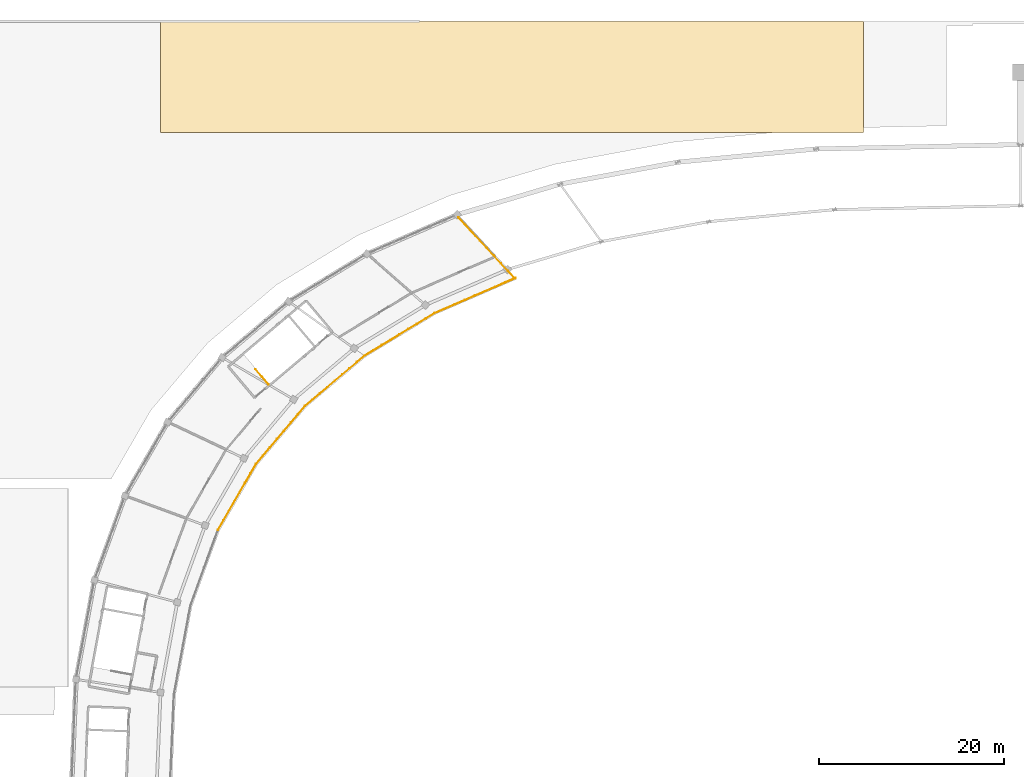
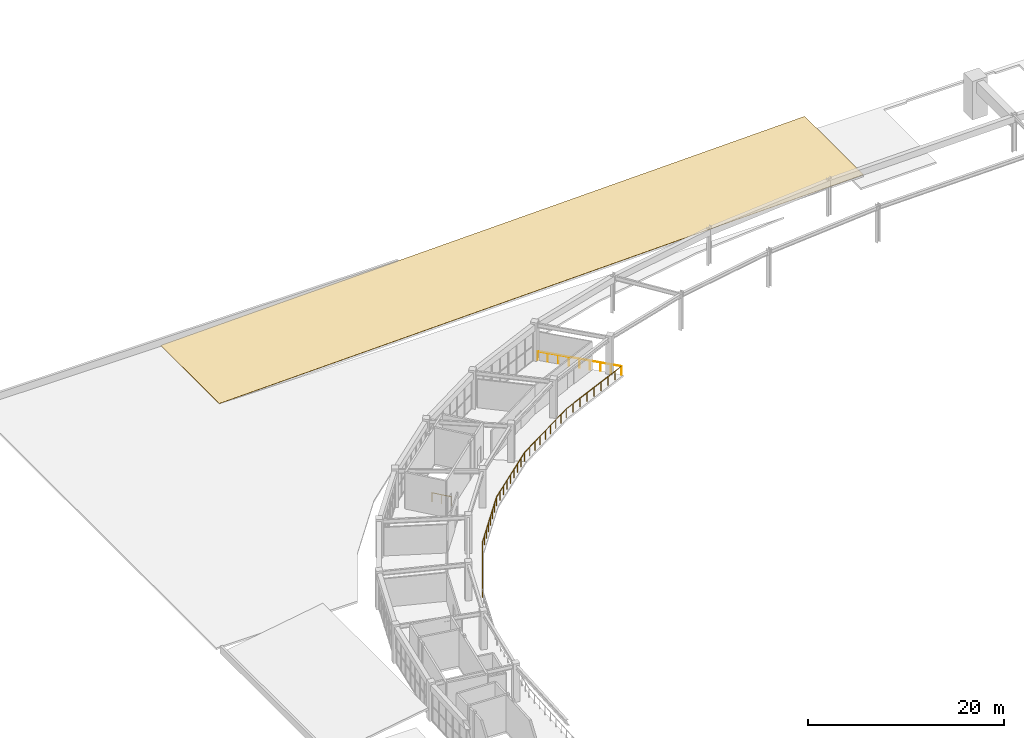
# One storey, part 44 of 45: 3 railings, 1 covering.
"""IFC4 building model written with IfcOpenShell, lengths in metres."""

from ifc_helpers import new_model, si_unit, direction, frame, origin, origin_2d, place, context, subcontext, project, spatial, polyline, circle, outline, extrude, material, layer, layer_set, type_object, element, save


model = new_model("IFC4")

# Units and contexts
model_context = context("Model", 3, precision=1e-05, world=origin(), true_north=direction((0.0, 1.0)))
body_context = subcontext(model_context, "Body", "Model", "MODEL_VIEW")
ifc_project = project(units=[si_unit("LENGTHUNIT", "METRE"), si_unit("AREAUNIT", "SQUARE_METRE"), si_unit("VOLUMEUNIT", "CUBIC_METRE"), si_unit("PLANEANGLEUNIT", "RADIAN"), si_unit("MASSUNIT", "GRAM", prefix="KILO")], contexts=[model_context])

# Site, building, storey
site_placement = place(None, origin())
site = spatial("IfcSite", under=ifc_project, at=site_placement, CompositionType="ELEMENT")
building_placement = place(site_placement, origin())
building = spatial("IfcBuilding", under=site, at=building_placement, Name="Mphavela Belvedere Stadium", CompositionType="ELEMENT")
storey_placement = place(building_placement, frame((0.0, 0.0, 24.0)))
storey = spatial("IfcBuildingStorey", under=building, at=storey_placement, Name="L05", CompositionType="ELEMENT", Elevation=24.0)

# Covering
ifc_material_1 = material(Name="Standing-seam zinc roofing membrane")
ifc_layer = layer(ifc_material_1, 0.030029296875)
ifc_layer_set = layer_set([ifc_layer], Name="Standing-seam zinc roofing membrane")
covering_type = type_object("IfcCoveringType", Name="COV-ROOF-ZINC", PredefinedType="ROOFING", material=ifc_layer_set)
covering_placement = place(storey_placement, frame((22.0, 162.0, 0.280029296875), z_axis=(-0.025648811413, 0.0, 0.999671015121), x_axis=(0.999671015121, 0.0, 0.025648811413)))
element("IfcCovering", 1, at=covering_placement, inside=storey, type_object=covering_type, Name="North Mast and Ceremonial End Forecourt standing-seam zinc roofing W", PredefinedType="ROOFING", context=body_context, shape_type="SweptSolid", body=[
    extrude(outline(polyline([(0.0, 0.0), (76.02501107906987, 0.0), (76.02501107906987, 11.999999999999998), (0.0, 11.999999999999998), (0.0, 0.0)])), origin(), (0.0, 0.0, -1.0), 0.030029296875),
])

# Railings
ifc_material_2 = material(Name="Bronze and laminated glass stadium balustrade", Category="glass")
railing_type_1 = type_object("IfcRailingType", Name="RAL-BALUSTRADE-1120", PredefinedType="BALUSTRADE", material=ifc_material_2)
railing_1_placement = place(storey_placement, frame((60.385986328125, 146.232666015625, 0.0)))
element("IfcRailing", 2, at=railing_1_placement, inside=storey, type_object=railing_type_1, Name="Broadcast gondola bowl balustrade L05-G1", PredefinedType="BALUSTRADE", context=body_context, shape_type="SweptSolid", body=[
    extrude(circle(Radius=0.02392578125, at=origin_2d()), frame((0.0, 0.0, 1.09619140625), z_axis=(-0.917502356363, -0.39773034341, 0.0), x_axis=(0.39773034341, -0.917502356363, 0.0)), (0.0, 0.0, 1.0), 9.5322265625),
    extrude(circle(Radius=0.02392578125, at=origin_2d()), frame((-8.745849609375, -3.791259765625, 1.09619140625), z_axis=(-0.854326029104, -0.51973746834, 0.0), x_axis=(0.51973746834, -0.854326029104, 0.0)), (0.0, 0.0, 1.0), 8.874267578125),
    extrude(circle(Radius=0.02392578125, at=origin_2d()), frame((-16.327392578125, -8.403564453125, 1.09619140625), z_axis=(-0.764250856516, -0.644919086642, 0.0), x_axis=(0.644919086642, -0.764250856516, 0.0)), (0.0, 0.0, 1.0), 8.4228515625),
    extrude(circle(Radius=0.02392578125, at=origin_2d()), frame((-22.7646484375, -13.835693359375, 1.09619140625), z_axis=(-0.645174639542, -0.764035133022, 0.0), x_axis=(0.764035133022, -0.645174639542, 0.0)), (0.0, 0.0, 1.0), 8.20166015625),
    extrude(circle(Radius=0.02392578125, at=origin_2d()), frame((-28.05615234375, -20.10205078125, 1.09619140625), z_axis=(-0.500550366933, -0.865707416027, 0.0), x_axis=(0.865707416027, -0.500550366933, 0.0)), (0.0, 0.0, 1.0), 8.260498046875),
    extrude(circle(Radius=0.02099609375, at=origin_2d()), origin(), (0.0, 0.0, 1.0), 1.072021484375),
    extrude(circle(Radius=0.02099609375, at=origin_2d()), frame((-1.09326171875, -0.473876953125, 0.0)), (0.0, 0.0, 1.0), 1.072021484375),
    extrude(circle(Radius=0.02099609375, at=origin_2d()), frame((-2.1865234375, -0.94775390625, 0.0)), (0.0, 0.0, 1.0), 1.072021484375),
    extrude(circle(Radius=0.02099609375, at=origin_2d()), frame((-3.27978515625, -1.421630859375, 0.0)), (0.0, 0.0, 1.0), 1.072021484375),
    extrude(circle(Radius=0.02099609375, at=origin_2d()), frame((-4.373046875, -1.8955078125, 0.0)), (0.0, 0.0, 1.0), 1.072021484375),
    extrude(circle(Radius=0.02099609375, at=origin_2d()), frame((-5.466064453125, -2.36962890625, 0.0)), (0.0, 0.0, 1.0), 1.072021484375),
    extrude(circle(Radius=0.02099609375, at=origin_2d()), frame((-6.559326171875, -2.843505859375, 0.0)), (0.0, 0.0, 1.0), 1.072021484375),
    extrude(circle(Radius=0.02099609375, at=origin_2d()), frame((-7.652587890625, -3.3173828125, 0.0)), (0.0, 0.0, 1.0), 1.072021484375),
    extrude(circle(Radius=0.02099609375, at=origin_2d()), frame((-8.745849609375, -3.791259765625, 0.0)), (0.0, 0.0, 1.0), 1.072021484375),
    extrude(circle(Radius=0.02099609375, at=origin_2d()), frame((-9.693603515625, -4.36767578125, 0.0)), (0.0, 0.0, 1.0), 1.072021484375),
    extrude(circle(Radius=0.02099609375, at=origin_2d()), frame((-10.64111328125, -4.9443359375, 0.0)), (0.0, 0.0, 1.0), 1.072021484375),
    extrude(circle(Radius=0.02099609375, at=origin_2d()), frame((-11.5888671875, -5.52099609375, 0.0)), (0.0, 0.0, 1.0), 1.072021484375),
    extrude(circle(Radius=0.02099609375, at=origin_2d()), frame((-12.53662109375, -6.097412109375, 0.0)), (0.0, 0.0, 1.0), 1.072021484375),
    extrude(circle(Radius=0.02099609375, at=origin_2d()), frame((-13.484375, -6.673828125, 0.0)), (0.0, 0.0, 1.0), 1.072021484375),
    extrude(circle(Radius=0.02099609375, at=origin_2d()), frame((-14.43212890625, -7.25048828125, 0.0)), (0.0, 0.0, 1.0), 1.072021484375),
    extrude(circle(Radius=0.02099609375, at=origin_2d()), frame((-15.379638671875, -7.8271484375, 0.0)), (0.0, 0.0, 1.0), 1.072021484375),
    extrude(circle(Radius=0.02099609375, at=origin_2d()), frame((-16.327392578125, -8.403564453125, 0.0)), (0.0, 0.0, 1.0), 1.072021484375),
    extrude(circle(Radius=0.02099609375, at=origin_2d()), frame((-17.132080078125, -9.08251953125, 0.0)), (0.0, 0.0, 1.0), 1.072021484375),
    extrude(circle(Radius=0.02099609375, at=origin_2d()), frame((-17.936767578125, -9.76171875, 0.0)), (0.0, 0.0, 1.0), 1.072021484375),
    extrude(circle(Radius=0.02099609375, at=origin_2d()), frame((-18.741455078125, -10.440673828125, 0.0)), (0.0, 0.0, 1.0), 1.072021484375),
    extrude(circle(Radius=0.02099609375, at=origin_2d()), frame((-19.5458984375, -11.11962890625, 0.0)), (0.0, 0.0, 1.0), 1.072021484375),
    extrude(circle(Radius=0.02099609375, at=origin_2d()), frame((-20.3505859375, -11.798583984375, 0.0)), (0.0, 0.0, 1.0), 1.072021484375),
    extrude(circle(Radius=0.02099609375, at=origin_2d()), frame((-21.1552734375, -12.4775390625, 0.0)), (0.0, 0.0, 1.0), 1.072021484375),
    extrude(circle(Radius=0.02099609375, at=origin_2d()), frame((-21.9599609375, -13.15673828125, 0.0)), (0.0, 0.0, 1.0), 1.072021484375),
    extrude(circle(Radius=0.02099609375, at=origin_2d()), frame((-22.7646484375, -13.835693359375, 0.0)), (0.0, 0.0, 1.0), 1.072021484375),
    extrude(circle(Radius=0.02099609375, at=origin_2d()), frame((-23.5205078125, -14.73095703125, 0.0)), (0.0, 0.0, 1.0), 1.072021484375),
    extrude(circle(Radius=0.02099609375, at=origin_2d()), frame((-24.276611328125, -15.6259765625, 0.0)), (0.0, 0.0, 1.0), 1.072021484375),
    extrude(circle(Radius=0.02099609375, at=origin_2d()), frame((-25.032470703125, -16.521240234375, 0.0)), (0.0, 0.0, 1.0), 1.072021484375),
    extrude(circle(Radius=0.02099609375, at=origin_2d()), frame((-25.788330078125, -17.41650390625, 0.0)), (0.0, 0.0, 1.0), 1.072021484375),
    extrude(circle(Radius=0.02099609375, at=origin_2d()), frame((-26.544189453125, -18.311767578125, 0.0)), (0.0, 0.0, 1.0), 1.072021484375),
    extrude(circle(Radius=0.02099609375, at=origin_2d()), frame((-27.30029296875, -19.206787109375, 0.0)), (0.0, 0.0, 1.0), 1.072021484375),
    extrude(circle(Radius=0.02099609375, at=origin_2d()), frame((-28.05615234375, -20.10205078125, 0.0)), (0.0, 0.0, 1.0), 1.072021484375),
    extrude(circle(Radius=0.02099609375, at=origin_2d()), frame((-28.646728515625, -21.12353515625, 0.0)), (0.0, 0.0, 1.0), 1.072021484375),
    extrude(circle(Radius=0.02099609375, at=origin_2d()), frame((-29.237548828125, -22.145263671875, 0.0)), (0.0, 0.0, 1.0), 1.072021484375),
    extrude(circle(Radius=0.02099609375, at=origin_2d()), frame((-29.828125, -23.166748046875, 0.0)), (0.0, 0.0, 1.0), 1.072021484375),
    extrude(circle(Radius=0.02099609375, at=origin_2d()), frame((-30.4189453125, -24.1884765625, 0.0)), (0.0, 0.0, 1.0), 1.072021484375),
    extrude(circle(Radius=0.02099609375, at=origin_2d()), frame((-31.009521484375, -25.2099609375, 0.0)), (0.0, 0.0, 1.0), 1.072021484375),
    extrude(circle(Radius=0.02099609375, at=origin_2d()), frame((-31.600341796875, -26.231689453125, 0.0)), (0.0, 0.0, 1.0), 1.072021484375),
    extrude(circle(Radius=0.02099609375, at=origin_2d()), frame((-32.19091796875, -27.253173828125, 0.0)), (0.0, 0.0, 1.0), 1.072021484375),
])
railing_2_placement = place(storey_placement, frame((60.327392578125, 146.178466796875, 0.0)))
element("IfcRailing", 3, at=railing_2_placement, inside=storey, type_object=railing_type_1, Name="Broadcast gondola north end balustrade L05", PredefinedType="BALUSTRADE", context=body_context, shape_type="SweptSolid", body=[
    extrude(circle(Radius=0.02392578125, at=origin_2d()), frame((0.0, 0.0, 1.09619140625), z_axis=(-0.677860390066, 0.735190649818, 0.0), x_axis=(-0.735190649818, -0.677860390066, 0.0)), (0.0, 0.0, 1.0), 8.98974609375),
    extrude(circle(Radius=0.02099609375, at=origin_2d()), origin(), (0.0, 0.0, 1.0), 1.072021484375),
    extrude(circle(Radius=0.02099609375, at=origin_2d()), frame((-0.76171875, 0.826171875, 0.0)), (0.0, 0.0, 1.0), 1.072021484375),
    extrude(circle(Radius=0.02099609375, at=origin_2d()), frame((-1.5234375, 1.65234375, 0.0)), (0.0, 0.0, 1.0), 1.072021484375),
    extrude(circle(Radius=0.02099609375, at=origin_2d()), frame((-2.28515625, 2.478515625, 0.0)), (0.0, 0.0, 1.0), 1.072021484375),
    extrude(circle(Radius=0.02099609375, at=origin_2d()), frame((-3.046875, 3.3046875, 0.0)), (0.0, 0.0, 1.0), 1.072021484375),
    extrude(circle(Radius=0.02099609375, at=origin_2d()), frame((-3.80859375, 4.130615234375, 0.0)), (0.0, 0.0, 1.0), 1.072021484375),
    extrude(circle(Radius=0.02099609375, at=origin_2d()), frame((-4.5703125, 4.956787109375, 0.0)), (0.0, 0.0, 1.0), 1.072021484375),
    extrude(circle(Radius=0.02099609375, at=origin_2d()), frame((-5.33203125, 5.782958984375, 0.0)), (0.0, 0.0, 1.0), 1.072021484375),
    extrude(circle(Radius=0.02099609375, at=origin_2d()), frame((-6.09375, 6.609130859375, 0.0)), (0.0, 0.0, 1.0), 1.072021484375),
])
ifc_material_3 = material(Name="Painted galvanised steel stair guardrail", Category="steel")
railing_type_2 = type_object("IfcRailingType", Name="RAL-GUARD-1120", PredefinedType="GUARDRAIL", material=ifc_material_3)
railing_3_placement = place(storey_placement, frame((33.68115234375, 134.72119140625, 0.0)))
element("IfcRailing", 4, at=railing_3_placement, inside=storey, type_object=railing_type_2, Name="L05 ST-C05 top well guard 1", PredefinedType="GUARDRAIL", context=body_context, shape_type="SweptSolid", body=[
    extrude(circle(Radius=0.02392578125, at=origin_2d()), frame((0.0, 0.0, 1.09619140625), z_axis=(-0.644953093511, 0.764222158257, 0.0), x_axis=(-0.764222158257, -0.644953093511, 0.0)), (0.0, 0.0, 1.0), 2.169677734375),
    extrude(circle(Radius=0.02099609375, at=origin_2d()), origin(), (0.0, 0.0, 1.0), 1.072021484375),
    extrude(circle(Radius=0.02099609375, at=origin_2d()), frame((-0.69970703125, 0.8291015625, 0.0)), (0.0, 0.0, 1.0), 1.072021484375),
    extrude(circle(Radius=0.02099609375, at=origin_2d()), frame((-1.3994140625, 1.658203125, 0.0)), (0.0, 0.0, 1.0), 1.072021484375),
])

save(model, "model.ifc")
